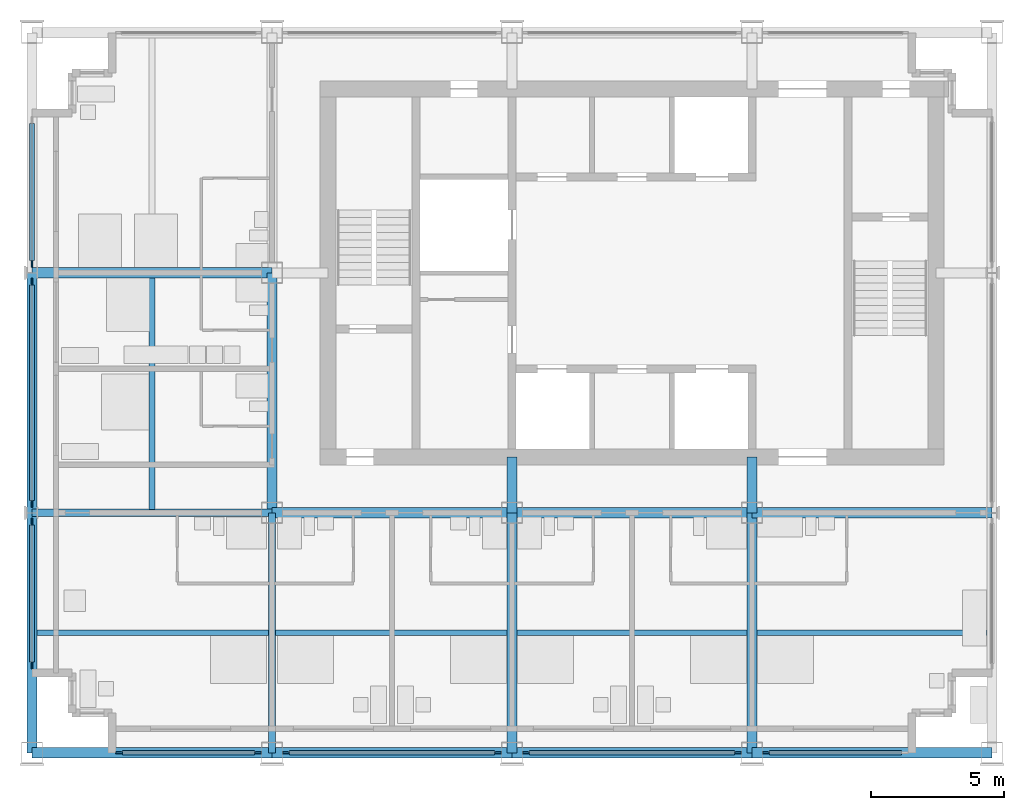
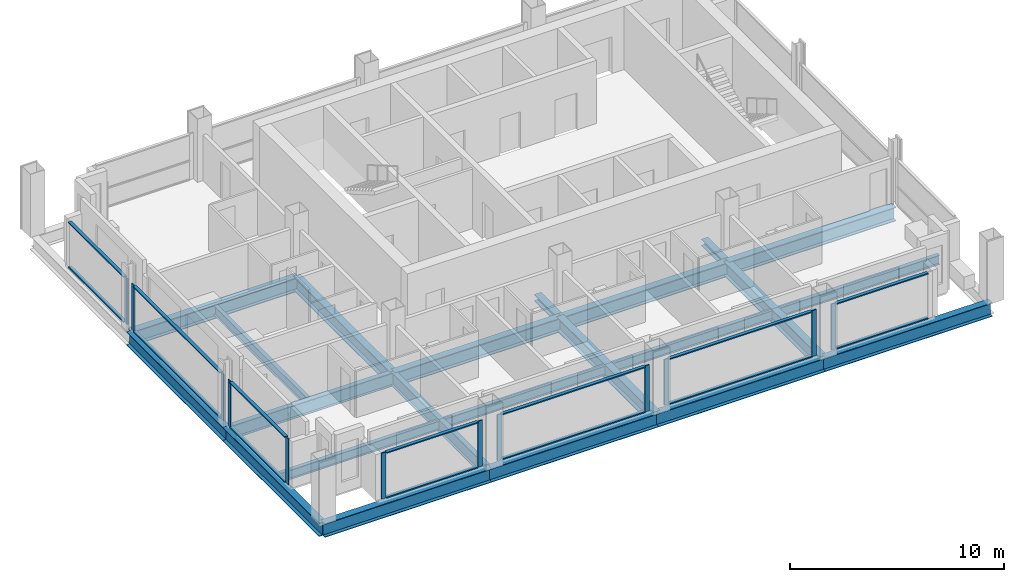
# One storey, part 2 of 12: 28 members, 20 beams, 7 elements without a shape of their own.
"""IFC4 building model written with IfcOpenShell, lengths in metres."""

from ifc_helpers import new_model, si_unit, direction, frame, origin, origin_2d, place, context, subcontext, project, spatial, rectangle, i_section, extrude, material, material_profile, profile_set, type_object, element, aggregate, save


model = new_model("IFC4")

# Units and contexts
model_context = context("Model", 3, precision=1e-05, world=origin(), true_north=direction((0.0, 1.0)))
body_context = subcontext(model_context, "Body", "Model", "MODEL_VIEW")
ifc_project = project(units=[si_unit("LENGTHUNIT", "METRE"), si_unit("AREAUNIT", "SQUARE_METRE"), si_unit("VOLUMEUNIT", "CUBIC_METRE"), si_unit("PLANEANGLEUNIT", "RADIAN"), si_unit("MASSUNIT", "GRAM", prefix="KILO")], contexts=[model_context])

# Site, building, storey
site_placement = place(None, origin())
site = spatial("IfcSite", under=ifc_project, at=site_placement, CompositionType="ELEMENT")
building_placement = place(site_placement, origin())
building = spatial("IfcBuilding", under=site, at=building_placement, Name="Loomwork Tower", CompositionType="ELEMENT")
storey_placement = place(building_placement, frame((0.0, 0.0, 259.0)))
storey = spatial("IfcBuildingStorey", under=building, at=storey_placement, Name="L71", CompositionType="ELEMENT", Elevation=259.0)

# Beams
ifc_material_1 = material(Name="Steel ASTM A992", Category="steel")
ifc_material_profile_1 = material_profile(ifc_material_1, i_section(OverallWidth=0.383544921875, OverallDepth=0.794921875, WebThickness=0.02099609375, FlangeThickness=0.0380859375, at=origin_2d()), Name="W30x235")
ifc_profile_set_1 = profile_set([ifc_material_profile_1], Name="Steel ASTM A992")
beam_type_1 = type_object("IfcBeamType", Name="CORE FLANK GIRDER W30x235", PredefinedType="BEAM", material=ifc_profile_set_1)
for number, where, z_axis, x_axis, name in (
    (1, (9.0, 9.0, -0.597412109375), (1.0, 0.0, 0.0), (0.0, 1.0, 0.0), "Core Flank Girder E/3-E/4 L71"),
    (2, (18.0, 9.0, -0.597412109375), (1.0, 0.0, 0.0), (0.0, 1.0, 0.0), "Core Flank Girder E/4-E/5 L71"),
    (3, (27.0, 9.0, -0.597412109375), (1.0, 0.0, 0.0), (0.0, 1.0, 0.0), "Core Flank Girder E/5-E/6 L71"),
    (4, (0.0, 18.0, -0.597412109375), (1.0, 0.0, 0.0), (0.0, 1.0, 0.0), "Core Flank Girder F/2-F/3 L71"),
    (5, (9.0, 9.0, -0.597412109375), (0.0, 1.0, 0.0), (-1.0, 0.0, 0.0), "Core Flank Girder E/3-F/3 L71"),
    (6, (18.0, 0.0, -0.597412109375), (0.0, 1.0, 0.0), (-1.0, 0.0, 0.0), "Core Flank Girder D/4-E/4 L71"),
    (7, (27.0, 0.0, -0.597412109375), (0.0, 1.0, 0.0), (-1.0, 0.0, 0.0), "Core Flank Girder D/5-E/5 L71"),
):
    element("IfcBeam", number, at=place(storey_placement, frame(where, z_axis=z_axis, x_axis=x_axis)), inside=storey, type_object=beam_type_1, Name=name, PredefinedType="BEAM", context=body_context, shape_type="SweptSolid", body=[
        extrude(i_section(OverallWidth=0.383544921875, OverallDepth=0.794921875, WebThickness=0.02099609375, FlangeThickness=0.0380859375, at=origin_2d()), origin(), (0.0, 0.0, 1.0), 9.0),
    ])

# Members
ifc_material_2 = material(Name="Steel ASTM A992", Category="steel")
ifc_material_profile_2 = material_profile(ifc_material_2, i_section(OverallWidth=0.373291015625, OverallDepth=0.373291015625, WebThickness=0.016357421875, FlangeThickness=0.026123046875, at=origin_2d()), Name="W14x132")
ifc_profile_set_2 = profile_set([ifc_material_profile_2], Name="Steel ASTM A992")
member_type_1 = type_object("IfcMemberType", Name="CORE LINK STRUT W14x132", PredefinedType="STRUT", material=ifc_profile_set_2)
for number, where, z_axis, x_axis, name in (
    (8, (18.0, 9.0, -0.38671875), (0.0, 1.0, 0.0), (-1.0, 0.0, 0.0), "Core link strut E/4-18.000,11.100 L71"),
    (9, (27.0, 9.0, -0.38671875), (0.0, 1.0, 0.0), (-1.0, 0.0, 0.0), "Core link strut E/5-27.000,11.100 L71"),
):
    element("IfcMember", number, at=place(storey_placement, frame(where, z_axis=z_axis, x_axis=x_axis)), inside=storey, type_object=member_type_1, Name=name, PredefinedType="STRUT", context=body_context, shape_type="SweptSolid", body=[
        extrude(i_section(OverallWidth=0.373291015625, OverallDepth=0.373291015625, WebThickness=0.016357421875, FlangeThickness=0.026123046875, at=origin_2d()), origin(), (0.0, 0.0, 1.0), 2.10009765625),
    ])

# Beams
ifc_material_3 = material(Name="Steel ASTM A992", Category="steel")
ifc_material_profile_3 = material_profile(ifc_material_3, i_section(OverallWidth=0.2666015625, OverallDepth=0.761962890625, WebThickness=0.014404296875, FlangeThickness=0.021484375, at=origin_2d()), Name="W30x116")
ifc_profile_set_3 = profile_set([ifc_material_profile_3], Name="Steel ASTM A992")
beam_type_2 = type_object("IfcBeamType", Name="FLOOR GIRDER W30x116", PredefinedType="BEAM", material=ifc_profile_set_3)
for number, where, z_axis, x_axis, name in (
    (10, (0.0, 9.0, -0.5810546875), (1.0, 0.0, 0.0), (0.0, 1.0, 0.0), "Floor Girder E/2-E/3 L71"),
    (11, (9.0, 0.0, -0.5810546875), (0.0, 1.0, 0.0), (-1.0, 0.0, 0.0), "Floor Girder D/3-E/3 L71"),
):
    element("IfcBeam", number, at=place(storey_placement, frame(where, z_axis=z_axis, x_axis=x_axis)), inside=storey, type_object=beam_type_2, Name=name, PredefinedType="BEAM", context=body_context, shape_type="SweptSolid", body=[
        extrude(i_section(OverallWidth=0.2666015625, OverallDepth=0.761962890625, WebThickness=0.014404296875, FlangeThickness=0.021484375, at=origin_2d()), origin(), (0.0, 0.0, 1.0), 9.0),
    ])
ifc_material_4 = material(Name="Steel ASTM A992", Category="steel")
ifc_material_profile_4 = material_profile(ifc_material_4, i_section(OverallWidth=0.2109375, OverallDepth=0.53857421875, WebThickness=0.011474609375, FlangeThickness=0.018798828125, at=origin_2d()), Name="W21x73")
ifc_profile_set_4 = profile_set([ifc_material_profile_4], Name="Steel ASTM A992")
beam_type_3 = type_object("IfcBeamType", Name="FLOOR JOIST W21x73", PredefinedType="JOIST", material=ifc_profile_set_4)
beam_1_placement = place(storey_placement, frame((0.18994140625, 4.5, -0.46923828125), z_axis=(1.0, 0.0, 0.0), x_axis=(0.0, 1.0, 0.0)))
element("IfcBeam", 12, at=beam_1_placement, inside=storey, type_object=beam_type_3, Name="Floor Joist 0.000,4.500-9.000,4.500 L71", PredefinedType="JOIST", context=body_context, shape_type="SweptSolid", body=[
    extrude(i_section(OverallWidth=0.2109375, OverallDepth=0.53857421875, WebThickness=0.011474609375, FlangeThickness=0.018798828125, at=origin_2d()), origin(), (0.0, 0.0, 1.0), 8.677001953125),
])
for number, where, z_axis, x_axis, name in (
    (13, (4.5, 9.133056640625, -0.46923828125), (0.0, 1.0, 0.0), (-1.0, 0.0, 0.0), "Floor Joist 4.500,9.000-4.500,18.000 L71"),
    (14, (9.133056640625, 4.5, -0.46923828125), (1.0, 0.0, 0.0), (0.0, 1.0, 0.0), "Floor Joist 9.000,4.500-18.000,4.500 L71"),
):
    element("IfcBeam", number, at=place(storey_placement, frame(where, z_axis=z_axis, x_axis=x_axis)), inside=storey, type_object=beam_type_3, Name=name, PredefinedType="JOIST", context=body_context, shape_type="SweptSolid", body=[
        extrude(i_section(OverallWidth=0.2109375, OverallDepth=0.53857421875, WebThickness=0.011474609375, FlangeThickness=0.018798828125, at=origin_2d()), origin(), (0.0, 0.0, 1.0), 8.676025390625),
    ])
beam_2_placement = place(storey_placement, frame((18.19091796875, 4.5, -0.46923828125), z_axis=(1.0, 0.0, 0.0), x_axis=(0.0, 1.0, 0.0)))
element("IfcBeam", 15, at=beam_2_placement, inside=storey, type_object=beam_type_3, Name="Floor Joist 18.000,4.500-27.000,4.500 L71", PredefinedType="JOIST", context=body_context, shape_type="SweptSolid", body=[
    extrude(i_section(OverallWidth=0.2109375, OverallDepth=0.53857421875, WebThickness=0.011474609375, FlangeThickness=0.018798828125, at=origin_2d()), origin(), (0.0, 0.0, 1.0), 8.6181640625),
])
beam_3_placement = place(storey_placement, frame((27.19091796875, 4.5, -0.46923828125), z_axis=(1.0, 0.0, 0.0), x_axis=(0.0, 1.0, 0.0)))
element("IfcBeam", 16, at=beam_3_placement, inside=storey, type_object=beam_type_3, Name="Floor Joist 27.000,4.500-36.000,4.500 L71", PredefinedType="JOIST", context=body_context, shape_type="SweptSolid", body=[
    extrude(i_section(OverallWidth=0.2109375, OverallDepth=0.53857421875, WebThickness=0.011474609375, FlangeThickness=0.018798828125, at=origin_2d()), origin(), (0.0, 0.0, 1.0), 8.619140625),
])

# Curtain wall, members
ifc_material_5 = material(Name="Aluminium curtain wall frame", Category="aluminium")
curtain_wall_type = type_object("IfcCurtainWallType", Name="Outer skin glazing suites", PredefinedType="NOTDEFINED", material=ifc_material_5)
curtain_wall_1_placement = place(storey_placement, origin())
curtain_wall_1 = element("IfcCurtainWall", 17, at=curtain_wall_1_placement, inside=storey, type_object=curtain_wall_type, Name="Outer skin glazing suites cw/S-0", PredefinedType="NOTDEFINED")
ifc_material_6 = material(Name="Aluminium curtain wall frame", Category="aluminium")
ifc_material_profile_5 = material_profile(ifc_material_6, rectangle(XDim=0.06494140625, YDim=0.25, at=origin_2d()), Name="AL 65x250")
ifc_profile_set_5 = profile_set([ifc_material_profile_5], Name="Aluminium curtain wall frame")
member_type_2 = type_object("IfcMemberType", Name="Outer skin glazing suites mullion", PredefinedType="MULLION", material=ifc_profile_set_5)
member_1_placement = place(storey_placement, frame((3.27490234375, 0.0, 0.0), z_axis=(0.0, 0.0, 1.0), x_axis=(0.0, 1.0, 0.0)))
member_1 = element("IfcMember", 18, at=member_1_placement, type_object=member_type_2, Name="CW2 mullion 1", PredefinedType="MULLION", context=body_context, shape_type="SweptSolid", body=[
    extrude(rectangle(XDim=0.06494140625, YDim=0.25, at=origin_2d()), origin(), (0.0, 0.0, 1.0), 2.6201171875),
])
member_2_placement = place(storey_placement, frame((8.47509765625, 0.0, 0.0), z_axis=(0.0, 0.0, 1.0), x_axis=(0.0, 1.0, 0.0)))
member_2 = element("IfcMember", 19, at=member_2_placement, type_object=member_type_2, Name="CW2 mullion 2", PredefinedType="MULLION", context=body_context, shape_type="SweptSolid", body=[
    extrude(rectangle(XDim=0.06494140625, YDim=0.25, at=origin_2d()), origin(), (0.0, 0.0, 1.0), 2.6201171875),
])

curtain_wall_2_placement = place(storey_placement, origin())
curtain_wall_2 = element("IfcCurtainWall", 20, at=curtain_wall_2_placement, inside=storey, type_object=curtain_wall_type, Name="Outer skin glazing suites cw/S-9", PredefinedType="NOTDEFINED")
member_3_placement = place(storey_placement, frame((9.52490234375, 0.0, 0.0), z_axis=(0.0, 0.0, 1.0), x_axis=(0.0, 1.0, 0.0)))
member_3 = element("IfcMember", 21, at=member_3_placement, type_object=member_type_2, Name="CW2 mullion 1", PredefinedType="MULLION", context=body_context, shape_type="SweptSolid", body=[
    extrude(rectangle(XDim=0.06494140625, YDim=0.25, at=origin_2d()), origin(), (0.0, 0.0, 1.0), 2.6201171875),
])
member_4_placement = place(storey_placement, frame((17.47509765625, 0.0, 0.0), z_axis=(0.0, 0.0, 1.0), x_axis=(0.0, 1.0, 0.0)))
member_4 = element("IfcMember", 22, at=member_4_placement, type_object=member_type_2, Name="CW2 mullion 2", PredefinedType="MULLION", context=body_context, shape_type="SweptSolid", body=[
    extrude(rectangle(XDim=0.06494140625, YDim=0.25, at=origin_2d()), origin(), (0.0, 0.0, 1.0), 2.6201171875),
])

curtain_wall_3_placement = place(storey_placement, origin())
curtain_wall_3 = element("IfcCurtainWall", 23, at=curtain_wall_3_placement, inside=storey, type_object=curtain_wall_type, Name="Outer skin glazing suites cw/S-18", PredefinedType="NOTDEFINED")
member_5_placement = place(storey_placement, frame((18.52490234375, 0.0, 0.0), z_axis=(0.0, 0.0, 1.0), x_axis=(0.0, 1.0, 0.0)))
member_5 = element("IfcMember", 24, at=member_5_placement, type_object=member_type_2, Name="CW2 mullion 1", PredefinedType="MULLION", context=body_context, shape_type="SweptSolid", body=[
    extrude(rectangle(XDim=0.06494140625, YDim=0.25, at=origin_2d()), origin(), (0.0, 0.0, 1.0), 2.6201171875),
])
member_6_placement = place(storey_placement, frame((26.47509765625, 0.0, 0.0), z_axis=(0.0, 0.0, 1.0), x_axis=(0.0, 1.0, 0.0)))
member_6 = element("IfcMember", 25, at=member_6_placement, type_object=member_type_2, Name="CW2 mullion 2", PredefinedType="MULLION", context=body_context, shape_type="SweptSolid", body=[
    extrude(rectangle(XDim=0.06494140625, YDim=0.25, at=origin_2d()), origin(), (0.0, 0.0, 1.0), 2.6201171875),
])

# Curtain wall, member
curtain_wall_4_placement = place(storey_placement, origin())
curtain_wall_4 = element("IfcCurtainWall", 26, at=curtain_wall_4_placement, inside=storey, type_object=curtain_wall_type, Name="Outer skin glazing suites cw/S-27", PredefinedType="NOTDEFINED")
member_7_placement = place(storey_placement, frame((27.52490234375, 0.0, 0.0), z_axis=(0.0, 0.0, 1.0), x_axis=(0.0, 1.0, 0.0)))
member_7 = element("IfcMember", 27, at=member_7_placement, type_object=member_type_2, Name="CW2 mullion 1", PredefinedType="MULLION", context=body_context, shape_type="SweptSolid", body=[
    extrude(rectangle(XDim=0.06494140625, YDim=0.25, at=origin_2d()), origin(), (0.0, 0.0, 1.0), 2.6201171875),
])

# Curtain wall, members
curtain_wall_5_placement = place(storey_placement, origin())
curtain_wall_5 = element("IfcCurtainWall", 28, at=curtain_wall_5_placement, inside=storey, type_object=curtain_wall_type, Name="Outer skin glazing suites cw/W-0", PredefinedType="NOTDEFINED")
member_8_placement = place(storey_placement, frame((0.0, 8.666748046875, 0.0), z_axis=(0.0, 0.0, 1.0), x_axis=(1.0, 0.0, 0.0)))
member_8 = element("IfcMember", 29, at=member_8_placement, type_object=member_type_2, Name="CW2 mullion 1", PredefinedType="MULLION", context=body_context, shape_type="SweptSolid", body=[
    extrude(rectangle(XDim=0.06494140625, YDim=0.25, at=origin_2d()), origin(), (0.0, 0.0, 1.0), 2.6201171875),
])
member_9_placement = place(storey_placement, frame((0.0, 3.27490234375, 0.0), z_axis=(0.0, 0.0, 1.0), x_axis=(1.0, 0.0, 0.0)))
member_9 = element("IfcMember", 30, at=member_9_placement, type_object=member_type_2, Name="CW2 mullion 2", PredefinedType="MULLION", context=body_context, shape_type="SweptSolid", body=[
    extrude(rectangle(XDim=0.06494140625, YDim=0.25, at=origin_2d()), origin(), (0.0, 0.0, 1.0), 2.6201171875),
])

curtain_wall_6_placement = place(storey_placement, origin())
curtain_wall_6 = element("IfcCurtainWall", 31, at=curtain_wall_6_placement, inside=storey, type_object=curtain_wall_type, Name="Outer skin glazing suites cw/W-9", PredefinedType="NOTDEFINED")
member_10_placement = place(storey_placement, frame((0.0, 17.666748046875, 0.0), z_axis=(0.0, 0.0, 1.0), x_axis=(1.0, 0.0, 0.0)))
member_10 = element("IfcMember", 32, at=member_10_placement, type_object=member_type_2, Name="CW2 mullion 1", PredefinedType="MULLION", context=body_context, shape_type="SweptSolid", body=[
    extrude(rectangle(XDim=0.06494140625, YDim=0.25, at=origin_2d()), origin(), (0.0, 0.0, 1.0), 2.6201171875),
])
member_11_placement = place(storey_placement, frame((0.0, 9.333251953125, 0.0), z_axis=(0.0, 0.0, 1.0), x_axis=(1.0, 0.0, 0.0)))
member_11 = element("IfcMember", 33, at=member_11_placement, type_object=member_type_2, Name="CW2 mullion 2", PredefinedType="MULLION", context=body_context, shape_type="SweptSolid", body=[
    extrude(rectangle(XDim=0.06494140625, YDim=0.25, at=origin_2d()), origin(), (0.0, 0.0, 1.0), 2.6201171875),
])

# Curtain wall, member
curtain_wall_7_placement = place(storey_placement, origin())
curtain_wall_7 = element("IfcCurtainWall", 34, at=curtain_wall_7_placement, inside=storey, type_object=curtain_wall_type, Name="Outer skin glazing suites cw/W-18", PredefinedType="NOTDEFINED")
member_12_placement = place(storey_placement, frame((0.0, 18.333251953125, 0.0), z_axis=(0.0, 0.0, 1.0), x_axis=(1.0, 0.0, 0.0)))
member_12 = element("IfcMember", 35, at=member_12_placement, type_object=member_type_2, Name="CW2 mullion 2", PredefinedType="MULLION", context=body_context, shape_type="SweptSolid", body=[
    extrude(rectangle(XDim=0.06494140625, YDim=0.25, at=origin_2d()), origin(), (0.0, 0.0, 1.0), 2.6201171875),
])

# Member
ifc_material_7 = material(Name="Aluminium curtain wall frame", Category="aluminium")
ifc_material_profile_6 = material_profile(ifc_material_7, rectangle(XDim=0.179931640625, YDim=0.06494140625, at=origin_2d()), Name="AL 65x180")
ifc_profile_set_6 = profile_set([ifc_material_profile_6], Name="Aluminium curtain wall frame")
member_type_3 = type_object("IfcMemberType", Name="Outer skin glazing suites transom", PredefinedType="USERDEFINED", material=ifc_profile_set_6)
member_13_placement = place(storey_placement, frame((3.39990234375, 0.0, 0.032470703125), z_axis=(1.0, 0.0, 0.0), x_axis=(0.0, 1.0, 0.0)))
member_13 = element("IfcMember", 36, at=member_13_placement, type_object=member_type_3, Name="CW2 transom 1.1", ObjectType="TRANSOM", PredefinedType="USERDEFINED", context=body_context, shape_type="SweptSolid", body=[
    extrude(rectangle(XDim=0.179931640625, YDim=0.06494140625, at=origin_2d()), origin(), (0.0, 0.0, 1.0), 4.9501953125),
])

member_14_placement = place(storey_placement, frame((3.39990234375, 0.0, 2.587646484375), z_axis=(1.0, 0.0, 0.0), x_axis=(0.0, 1.0, 0.0)))
member_14 = element("IfcMember", 37, at=member_14_placement, type_object=member_type_3, Name="CW2 transom 1.2", ObjectType="TRANSOM", PredefinedType="USERDEFINED", context=body_context, shape_type="SweptSolid", body=[
    extrude(rectangle(XDim=0.179931640625, YDim=0.06494140625, at=origin_2d()), origin(), (0.0, 0.0, 1.0), 4.9501953125),
])

aggregate(curtain_wall_1, [member_1, member_2, member_13, member_14])

member_15_placement = place(storey_placement, frame((9.64990234375, 0.0, 0.032470703125), z_axis=(1.0, 0.0, 0.0), x_axis=(0.0, 1.0, 0.0)))
member_15 = element("IfcMember", 38, at=member_15_placement, type_object=member_type_3, Name="CW2 transom 1.1", ObjectType="TRANSOM", PredefinedType="USERDEFINED", context=body_context, shape_type="SweptSolid", body=[
    extrude(rectangle(XDim=0.179931640625, YDim=0.06494140625, at=origin_2d()), origin(), (0.0, 0.0, 1.0), 7.7001953125),
])

member_16_placement = place(storey_placement, frame((9.64990234375, 0.0, 2.587646484375), z_axis=(1.0, 0.0, 0.0), x_axis=(0.0, 1.0, 0.0)))
member_16 = element("IfcMember", 39, at=member_16_placement, type_object=member_type_3, Name="CW2 transom 1.2", ObjectType="TRANSOM", PredefinedType="USERDEFINED", context=body_context, shape_type="SweptSolid", body=[
    extrude(rectangle(XDim=0.179931640625, YDim=0.06494140625, at=origin_2d()), origin(), (0.0, 0.0, 1.0), 7.7001953125),
])

aggregate(curtain_wall_2, [member_3, member_4, member_15, member_16])

member_17_placement = place(storey_placement, frame((18.64990234375, 0.0, 0.032470703125), z_axis=(1.0, 0.0, 0.0), x_axis=(0.0, 1.0, 0.0)))
member_17 = element("IfcMember", 40, at=member_17_placement, type_object=member_type_3, Name="CW2 transom 1.1", ObjectType="TRANSOM", PredefinedType="USERDEFINED", context=body_context, shape_type="SweptSolid", body=[
    extrude(rectangle(XDim=0.179931640625, YDim=0.06494140625, at=origin_2d()), origin(), (0.0, 0.0, 1.0), 7.7001953125),
])

member_18_placement = place(storey_placement, frame((18.64990234375, 0.0, 2.587646484375), z_axis=(1.0, 0.0, 0.0), x_axis=(0.0, 1.0, 0.0)))
member_18 = element("IfcMember", 41, at=member_18_placement, type_object=member_type_3, Name="CW2 transom 1.2", ObjectType="TRANSOM", PredefinedType="USERDEFINED", context=body_context, shape_type="SweptSolid", body=[
    extrude(rectangle(XDim=0.179931640625, YDim=0.06494140625, at=origin_2d()), origin(), (0.0, 0.0, 1.0), 7.7001953125),
])

aggregate(curtain_wall_3, [member_5, member_6, member_17, member_18])

member_19_placement = place(storey_placement, frame((27.64990234375, 0.0, 0.032470703125), z_axis=(1.0, 0.0, 0.0), x_axis=(0.0, 1.0, 0.0)))
member_19 = element("IfcMember", 42, at=member_19_placement, type_object=member_type_3, Name="CW2 transom 1.1", ObjectType="TRANSOM", PredefinedType="USERDEFINED", context=body_context, shape_type="SweptSolid", body=[
    extrude(rectangle(XDim=0.179931640625, YDim=0.06494140625, at=origin_2d()), origin(), (0.0, 0.0, 1.0), 4.9501953125),
])

member_20_placement = place(storey_placement, frame((27.64990234375, 0.0, 2.587646484375), z_axis=(1.0, 0.0, 0.0), x_axis=(0.0, 1.0, 0.0)))
member_20 = element("IfcMember", 43, at=member_20_placement, type_object=member_type_3, Name="CW2 transom 1.2", ObjectType="TRANSOM", PredefinedType="USERDEFINED", context=body_context, shape_type="SweptSolid", body=[
    extrude(rectangle(XDim=0.179931640625, YDim=0.06494140625, at=origin_2d()), origin(), (0.0, 0.0, 1.0), 4.9501953125),
])

aggregate(curtain_wall_4, [member_7, member_19, member_20])

member_21_placement = place(storey_placement, frame((0.0, 8.541748046875, 0.032470703125), z_axis=(0.0, -1.0, 0.0), x_axis=(1.0, 0.0, 0.0)))
member_21 = element("IfcMember", 44, at=member_21_placement, type_object=member_type_3, Name="CW2 transom 1.1", ObjectType="TRANSOM", PredefinedType="USERDEFINED", context=body_context, shape_type="SweptSolid", body=[
    extrude(rectangle(XDim=0.179931640625, YDim=0.06494140625, at=origin_2d()), origin(), (0.0, 0.0, 1.0), 5.141845703125),
])

member_22_placement = place(storey_placement, frame((0.0, 8.541748046875, 2.587646484375), z_axis=(0.0, -1.0, 0.0), x_axis=(1.0, 0.0, 0.0)))
member_22 = element("IfcMember", 45, at=member_22_placement, type_object=member_type_3, Name="CW2 transom 1.2", ObjectType="TRANSOM", PredefinedType="USERDEFINED", context=body_context, shape_type="SweptSolid", body=[
    extrude(rectangle(XDim=0.179931640625, YDim=0.06494140625, at=origin_2d()), origin(), (0.0, 0.0, 1.0), 5.141845703125),
])

aggregate(curtain_wall_5, [member_8, member_9, member_21, member_22])

member_23_placement = place(storey_placement, frame((0.0, 17.541748046875, 0.032470703125), z_axis=(0.0, -1.0, 0.0), x_axis=(1.0, 0.0, 0.0)))
member_23 = element("IfcMember", 46, at=member_23_placement, type_object=member_type_3, Name="CW2 transom 1.1", ObjectType="TRANSOM", PredefinedType="USERDEFINED", context=body_context, shape_type="SweptSolid", body=[
    extrude(rectangle(XDim=0.179931640625, YDim=0.06494140625, at=origin_2d()), origin(), (0.0, 0.0, 1.0), 8.08349609375),
])

member_24_placement = place(storey_placement, frame((0.0, 17.541748046875, 2.587646484375), z_axis=(0.0, -1.0, 0.0), x_axis=(1.0, 0.0, 0.0)))
member_24 = element("IfcMember", 47, at=member_24_placement, type_object=member_type_3, Name="CW2 transom 1.2", ObjectType="TRANSOM", PredefinedType="USERDEFINED", context=body_context, shape_type="SweptSolid", body=[
    extrude(rectangle(XDim=0.179931640625, YDim=0.06494140625, at=origin_2d()), origin(), (0.0, 0.0, 1.0), 8.08349609375),
])

aggregate(curtain_wall_6, [member_10, member_11, member_23, member_24])

member_25_placement = place(storey_placement, frame((0.0, 23.60009765625, 0.032470703125), z_axis=(0.0, -1.0, 0.0), x_axis=(1.0, 0.0, 0.0)))
member_25 = element("IfcMember", 48, at=member_25_placement, type_object=member_type_3, Name="CW2 transom 1.1", ObjectType="TRANSOM", PredefinedType="USERDEFINED", context=body_context, shape_type="SweptSolid", body=[
    extrude(rectangle(XDim=0.179931640625, YDim=0.06494140625, at=origin_2d()), origin(), (0.0, 0.0, 1.0), 5.141845703125),
])

member_26_placement = place(storey_placement, frame((0.0, 23.60009765625, 2.587646484375), z_axis=(0.0, -1.0, 0.0), x_axis=(1.0, 0.0, 0.0)))
member_26 = element("IfcMember", 49, at=member_26_placement, type_object=member_type_3, Name="CW2 transom 1.2", ObjectType="TRANSOM", PredefinedType="USERDEFINED", context=body_context, shape_type="SweptSolid", body=[
    extrude(rectangle(XDim=0.179931640625, YDim=0.06494140625, at=origin_2d()), origin(), (0.0, 0.0, 1.0), 5.141845703125),
])

aggregate(curtain_wall_7, [member_12, member_25, member_26])

# Beams
ifc_material_8 = material(Name="Steel ASTM A992", Category="steel")
ifc_material_profile_7 = material_profile(ifc_material_8, i_section(OverallWidth=0.381103515625, OverallDepth=0.77978515625, WebThickness=0.01806640625, FlangeThickness=0.0302734375, at=origin_2d()), Name="W30x191")
ifc_profile_set_7 = profile_set([ifc_material_profile_7], Name="Steel ASTM A992")
beam_type_4 = type_object("IfcBeamType", Name="SPANDREL GIRDER W30x191", PredefinedType="SPANDREL", material=ifc_profile_set_7)
for number, where, z_axis, x_axis, name in (
    (50, (0.0, 0.0, -0.58984375), (1.0, 0.0, 0.0), (0.0, 1.0, 0.0), "Spandrel Girder D/2-D/3 L71"),
    (51, (9.0, 0.0, -0.58984375), (1.0, 0.0, 0.0), (0.0, 1.0, 0.0), "Spandrel Girder D/3-D/4 L71"),
    (52, (18.0, 0.0, -0.58984375), (1.0, 0.0, 0.0), (0.0, 1.0, 0.0), "Spandrel Girder D/4-D/5 L71"),
    (53, (27.0, 0.0, -0.58984375), (1.0, 0.0, 0.0), (0.0, 1.0, 0.0), "Spandrel Girder D/5-D/6 L71"),
    (54, (0.0, 0.0, -0.58984375), (0.0, 1.0, 0.0), (-1.0, 0.0, 0.0), "Spandrel Girder D/2-E/2 L71"),
    (55, (0.0, 9.0, -0.58984375), (0.0, 1.0, 0.0), (-1.0, 0.0, 0.0), "Spandrel Girder E/2-F/2 L71"),
):
    element("IfcBeam", number, at=place(storey_placement, frame(where, z_axis=z_axis, x_axis=x_axis)), inside=storey, type_object=beam_type_4, Name=name, PredefinedType="SPANDREL", context=body_context, shape_type="SweptSolid", body=[
        extrude(i_section(OverallWidth=0.381103515625, OverallDepth=0.77978515625, WebThickness=0.01806640625, FlangeThickness=0.0302734375, at=origin_2d()), origin(), (0.0, 0.0, 1.0), 9.0),
    ])

save(model, "model.ifc")
